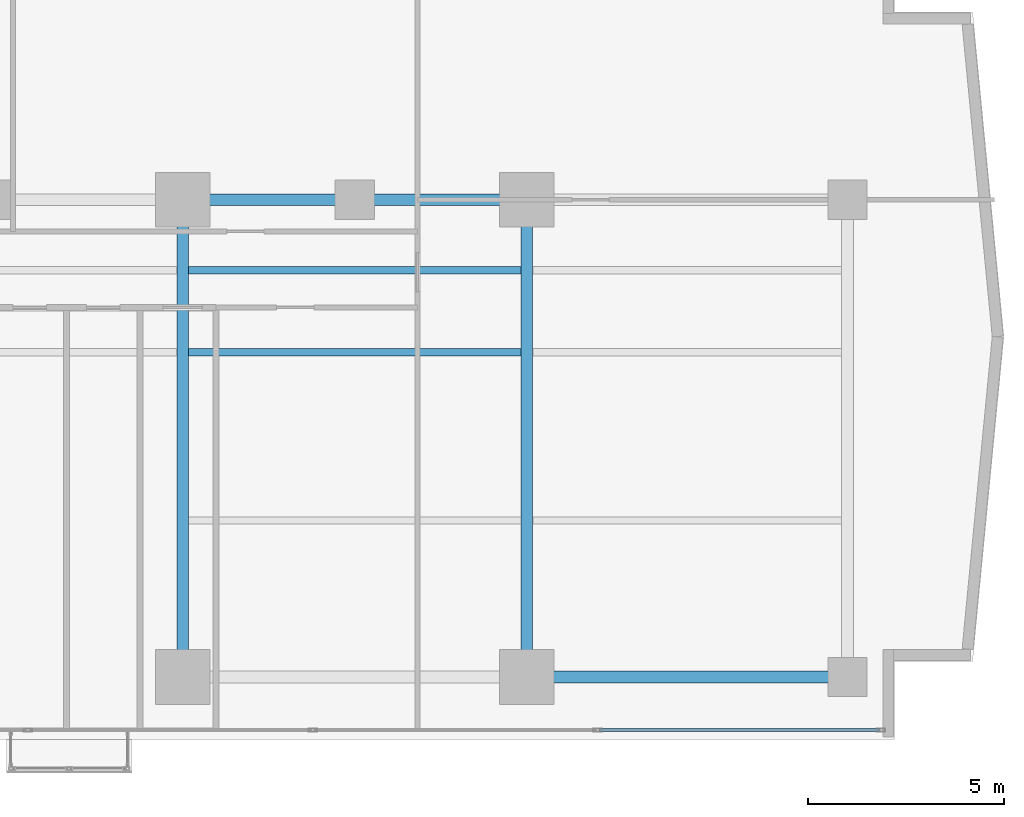
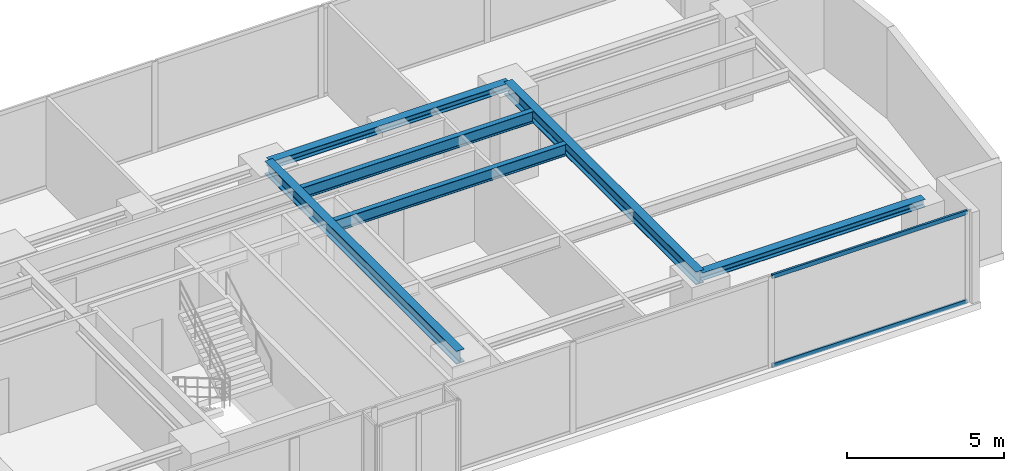
# One storey, part 13 of 26: 6 beams, 2 members, 1 element without a shape of its own.
"""IFC4 building model written with IfcOpenShell, lengths in metres."""

from ifc_helpers import new_model, si_unit, direction, frame, origin, origin_with_axes, origin_2d, place, context, subcontext, project, spatial, hollow_rectangle, i_section, extrude, source, transform, mapped, material, layer, layer_set, material_profile, profile_set, type_object, element, aggregate, save


model = new_model("IFC4")

# Units and contexts
model_context = context("Model", 3, precision=1e-05, world=origin(), true_north=direction((0.0, 1.0)))
body_context = subcontext(model_context, "Body", "Model", "MODEL_VIEW")
ifc_project = project(units=[si_unit("LENGTHUNIT", "METRE"), si_unit("AREAUNIT", "SQUARE_METRE"), si_unit("VOLUMEUNIT", "CUBIC_METRE"), si_unit("PLANEANGLEUNIT", "RADIAN"), si_unit("MASSUNIT", "GRAM", prefix="KILO")], contexts=[model_context])

# Site, building, storey
site_placement = place(None, origin())
site = spatial("IfcSite", under=ifc_project, at=site_placement, CompositionType="ELEMENT")
building_placement = place(site_placement, origin())
building = spatial("IfcBuilding", under=site, at=building_placement, Name="Kolvaren Waterfront Exchange", CompositionType="ELEMENT")
storey_placement = place(building_placement, frame((0.0, 0.0, 99.300048828125)))
storey = spatial("IfcBuildingStorey", under=building, at=storey_placement, Name="L25", CompositionType="ELEMENT", Elevation=99.300048828125)

# Beams
ifc_material_1 = material(Name="Steel S355", Category="steel")
ifc_material_profile_1 = material_profile(ifc_material_1, i_section(OverallWidth=0.300048828125, OverallDepth=0.300048828125, WebThickness=0.010986328125, FlangeThickness=0.01904296875, FilletRadius=0.027099609375, at=origin_2d()), Name="HEB300")
ifc_profile_set_1 = profile_set([ifc_material_profile_1], Name="Steel S355")
beam_type_1 = type_object("IfcBeamType", Name="STR-BM-HEB300", PredefinedType="SPANDREL", material=ifc_profile_set_1)
beam_1_placement = place(storey_placement, frame((45.60009765625, 5.199951171875, 3.389892578125), z_axis=(1.0, 0.0, 0.0), x_axis=(0.0, 1.0, 0.0)))
element("IfcBeam", 1, at=beam_1_placement, inside=storey, type_object=beam_type_1, Name="L25 east-arm spandrel S4", PredefinedType="SPANDREL", context=body_context, shape_type="SweptSolid", body=[
    extrude(i_section(OverallWidth=0.300048828125, OverallDepth=0.300048828125, WebThickness=0.010986328125, FlangeThickness=0.01904296875, FilletRadius=0.027099609375, at=origin_2d()), origin(), (0.0, 0.0, 1.0), 8.199951171875),
])
beam_2_placement = place(storey_placement, frame((36.800048828125, 17.39990234375, 3.389892578125), z_axis=(1.0, 0.0, 0.0), x_axis=(0.0, 1.0, 0.0)))
element("IfcBeam", 2, at=beam_2_placement, inside=storey, type_object=beam_type_1, Name="L25 east-arm spandrel N3", PredefinedType="SPANDREL", context=body_context, shape_type="SweptSolid", body=[
    extrude(i_section(OverallWidth=0.300048828125, OverallDepth=0.300048828125, WebThickness=0.010986328125, FlangeThickness=0.01904296875, FilletRadius=0.027099609375, at=origin_2d()), origin(), (0.0, 0.0, 1.0), 8.800048828125),
])
ifc_material_profile_2 = material_profile(ifc_material_1, i_section(OverallWidth=0.300048828125, OverallDepth=0.5, WebThickness=0.014404296875, FlangeThickness=0.028076171875, FilletRadius=0.027099609375, at=origin_2d()), Name="HEB500")
ifc_profile_set_2 = profile_set([ifc_material_profile_2], Name="Steel S355")
beam_type_2 = type_object("IfcBeamType", Name="STR-BM-HEB500", PredefinedType="BEAM", material=ifc_profile_set_2)
for number, where, z_axis, x_axis, name in (
    (3, (36.800048828125, 5.199951171875, 3.2900390625), (0.0, 1.0, 0.0), (-1.0, 0.0, 0.0), "L25 east-arm transverse girder X36"),
    (4, (45.60009765625, 5.199951171875, 3.2900390625), (0.0, 1.0, 0.0), (-1.0, 0.0, 0.0), "L25 east-arm transverse girder X45"),
):
    element("IfcBeam", number, at=place(storey_placement, frame(where, z_axis=z_axis, x_axis=x_axis)), inside=storey, type_object=beam_type_2, Name=name, PredefinedType="BEAM", context=body_context, shape_type="SweptSolid", body=[
        extrude(i_section(OverallWidth=0.300048828125, OverallDepth=0.5, WebThickness=0.014404296875, FlangeThickness=0.028076171875, FilletRadius=0.027099609375, at=origin_2d()), origin(), (0.0, 0.0, 1.0), 12.199951171875),
    ])
ifc_material_profile_3 = material_profile(ifc_material_1, i_section(OverallWidth=0.18994140625, OverallDepth=0.449951171875, WebThickness=0.009521484375, FlangeThickness=0.0146484375, FilletRadius=0.02099609375, at=origin_2d()), Name="IPE450")
ifc_profile_set_3 = profile_set([ifc_material_profile_3], Name="Steel S355")
beam_type_3 = type_object("IfcBeamType", Name="STR-BM-IPE450", PredefinedType="JOIST", material=ifc_profile_set_3)
for number, where, z_axis, x_axis, name in (
    (5, (36.951904296875, 13.5, 3.31494140625), (1.0, 0.0, 0.0), (0.0, 1.0, 0.0), "L25 east-arm composite joist 3A"),
    (6, (36.951904296875, 15.60009765625, 3.31494140625), (1.0, 0.0, 0.0), (0.0, 1.0, 0.0), "L25 east-arm composite joist 3C"),
):
    element("IfcBeam", number, at=place(storey_placement, frame(where, z_axis=z_axis, x_axis=x_axis)), inside=storey, type_object=beam_type_3, Name=name, PredefinedType="JOIST", context=body_context, shape_type="SweptSolid", body=[
        extrude(i_section(OverallWidth=0.18994140625, OverallDepth=0.449951171875, WebThickness=0.009521484375, FlangeThickness=0.0146484375, FilletRadius=0.02099609375, at=origin_2d()), origin(), (0.0, 0.0, 1.0), 8.49609375),
    ])

# Curtain wall, members
ifc_material_2 = material(Name="Anodised bronze aluminium 6063-T6", Category="aluminium")
ifc_layer = layer(ifc_material_2, 0.219970703125, Name="Anodised bronze aluminium 6063-T6")
ifc_layer_set = layer_set([ifc_layer], Name="Anodised bronze aluminium 6063-T6")
curtain_wall_type = type_object("IfcCurtainWallType", Name="ARC-CW-SYS1", PredefinedType="USERDEFINED", material=ifc_layer_set)
curtain_wall_placement = place(storey_placement, origin())
curtain_wall = element("IfcCurtainWall", 7, at=curtain_wall_placement, inside=storey, type_object=curtain_wall_type, Name="L25 stick curtain wall CW1 (CW-L25-S)", ObjectType="STICK CURTAIN WALL", PredefinedType="USERDEFINED")
ifc_material_3 = material(Name="Anodised aluminium 6063-T6", Category="aluminium")
ifc_material_profile_4 = material_profile(ifc_material_3, hollow_rectangle(XDim=0.074951171875, YDim=0.159912109375, WallThickness=0.00439453125, at=origin_2d()), Name="ALU-TRN-160x75x4.5")
ifc_profile_set_4 = profile_set([ifc_material_profile_4], Name="Anodised aluminium 6063-T6")
member_type = type_object("IfcMemberType", Name="ARC-CWT-160", PredefinedType="USERDEFINED", material=ifc_profile_set_4)
shared_shape = source(origin_with_axes(), body_context, "Body", "SweptSolid", [
    extrude(hollow_rectangle(XDim=0.074951171875, YDim=0.159912109375, WallThickness=0.00439453125, at=origin_2d()), origin(), (0.0, 0.0, 1.0), 7.165771484375),
])
member_1_placement = place(storey_placement, frame((47.454345703125, 3.840087890625, 0.037353515625), z_axis=(1.0, 0.0, 0.0), x_axis=(0.0, 1.0, 0.0)))
member_1 = element("IfcMember", 8, at=member_1_placement, type_object=member_type, Name="CW1 transom 7.1", ObjectType="TRANSOM", PredefinedType="USERDEFINED", context=body_context, shape_type="MappedRepresentation", body=[
    mapped(shared_shape, transform((0.0, 0.0, 0.0), x_axis=(1.0, 0.0, 0.0), y_axis=(0.0, 1.0, 0.0), z_axis=(0.0, 0.0, 1.0), scale=1.0)),
])
member_2_placement = place(storey_placement, frame((47.454345703125, 3.840087890625, 3.50244140625), z_axis=(1.0, 0.0, 0.0), x_axis=(0.0, 1.0, 0.0)))
member_2 = element("IfcMember", 9, at=member_2_placement, type_object=member_type, Name="CW1 transom 7.2", ObjectType="TRANSOM", PredefinedType="USERDEFINED", context=body_context, shape_type="MappedRepresentation", body=[
    mapped(shared_shape, transform((0.0, 0.0, 0.0), x_axis=(1.0, 0.0, 0.0), y_axis=(0.0, 1.0, 0.0), z_axis=(0.0, 0.0, 1.0), scale=1.0)),
])
aggregate(curtain_wall, [member_1, member_2])

save(model, "model.ifc")
